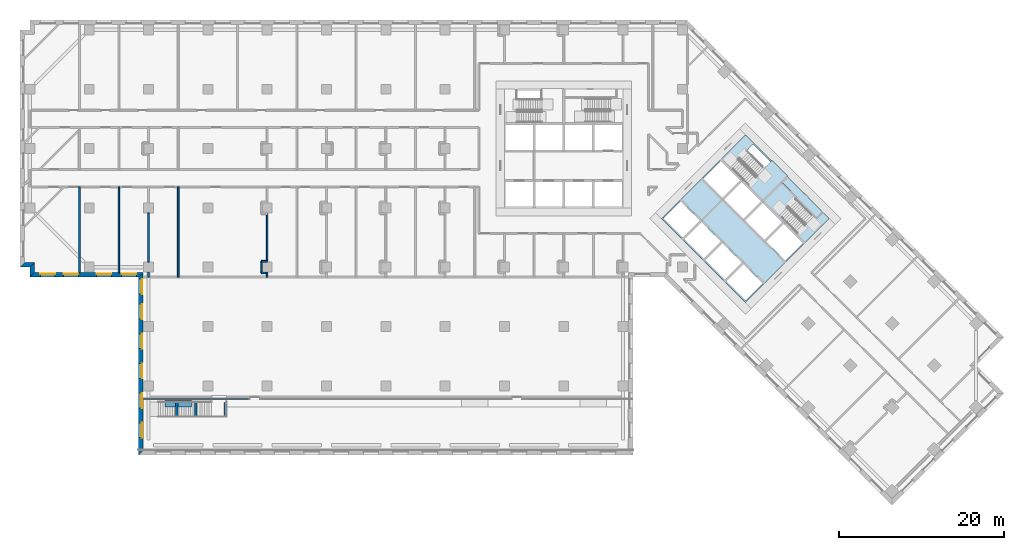
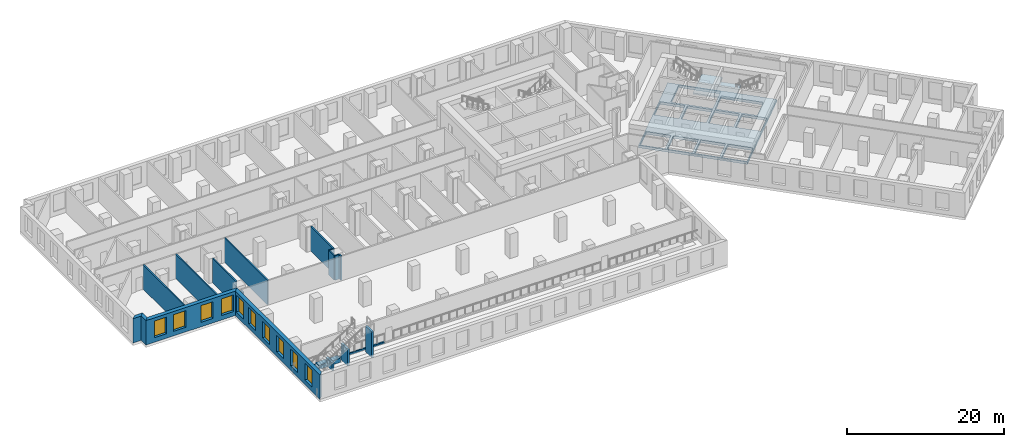
# One storey, part 2 of 14: 19 walls, 10 windows, 3 slabs, 20 openings, 2 elements without a shape of their own.
"""IFC4 building model written with IfcOpenShell, lengths in metres."""

from ifc_helpers import new_model, si_unit, direction, frame, frame_2d, origin, place, context, subcontext, project, spatial, polyline, rectangle, outline, extrude, material, layer, layer_set, type_object, element, fill, aggregate, save


model = new_model("IFC4")

# Units and contexts
model_context = context("Model", 3, precision=1e-05, world=origin(), true_north=direction((0.0, 1.0)))
body_context = subcontext(model_context, "Body", "Model", "MODEL_VIEW")
ifc_project = project(units=[si_unit("LENGTHUNIT", "METRE"), si_unit("AREAUNIT", "SQUARE_METRE"), si_unit("VOLUMEUNIT", "CUBIC_METRE"), si_unit("PLANEANGLEUNIT", "RADIAN"), si_unit("MASSUNIT", "GRAM", prefix="KILO")], contexts=[model_context])

# Site, building, storey
site_placement = place(None, origin())
site = spatial("IfcSite", under=ifc_project, at=site_placement, CompositionType="ELEMENT")
building_placement = place(site_placement, origin())
building = spatial("IfcBuilding", under=site, at=building_placement, Name="Windrow Commons", CompositionType="ELEMENT")
storey_placement = place(building_placement, frame((0.0, 0.0, 10.2)))
storey = spatial("IfcBuildingStorey", under=building, at=storey_placement, Name="L02", CompositionType="ELEMENT", Elevation=10.2)

# Slab, openings
ifc_material_1 = material(Name="Concrete C60/75", Category="concrete")
ifc_layer_1 = layer(ifc_material_1, 0.4)
ifc_layer_set_1 = layer_set([ifc_layer_1], Name="CORE FLOOR SLAB 400 C60/75")
slab_type_1 = type_object("IfcSlabType", Name="CORE FLOOR SLAB 400 C60/75", PredefinedType="FLOOR", material=ifc_layer_set_1)
slab_1_placement = place(storey_placement, frame((0.0, 0.0, -0.4)))
slab_1 = element("IfcSlab", 1, at=slab_1_placement, inside=storey, type_object=slab_type_1, Name="S-L02-core-B", PredefinedType="FLOOR", context=body_context, shape_type="SweptSolid", body=[
    extrude(outline(polyline([(76.6544, 49.0897), (86.8368, 38.9074), (97.0191, 49.0897), (86.8368, 59.2721), (76.6544, 49.0897)]), holes=[polyline([(76.8665, 49.0897), (79.2, 46.7563), (81.3213, 48.8776), (78.9879, 51.2111), (76.8665, 49.0897)]), polyline([(79.4121, 46.5442), (81.7456, 44.2107), (83.8669, 46.332), (81.5335, 48.6655), (79.4121, 46.5442)]), polyline([(81.9577, 43.9986), (84.2912, 41.6651), (86.4125, 43.7864), (84.079, 46.1199), (81.9577, 43.9986)]), polyline([(84.5033, 41.453), (86.8368, 39.1195), (88.9581, 41.2409), (86.6246, 43.5743), (84.5033, 41.453)]), polyline([(81.7456, 53.9688), (84.079, 51.6353), (86.2004, 53.7566), (83.8669, 56.0901), (81.7456, 53.9688)]), polyline([(84.2912, 51.4232), (86.6246, 49.0897), (88.7459, 51.2111), (86.4125, 53.5445), (84.2912, 51.4232)]), polyline([(86.8368, 48.8776), (89.1702, 46.5442), (91.2915, 48.6655), (88.9581, 50.9989), (86.8368, 48.8776)]), polyline([(89.3823, 46.332), (91.7158, 43.9986), (93.8371, 46.1199), (91.5037, 48.4533), (89.3823, 46.332)]), polyline([(85.0336, 55.3476), (88.9581, 51.4232), (91.7158, 54.1809), (87.7913, 58.1054), (85.0336, 55.3476)]), polyline([(89.1702, 51.2111), (93.0946, 47.2866), (95.1841, 49.3761), (91.2597, 53.3006), (89.1702, 51.2111)])]), origin(), (0.0, 0.0, 1.0), 0.4),
])
opening_1_placement = place(slab_1_placement, origin())
element("IfcOpeningElement", 2, at=opening_1_placement, cuts=slab_1, Name="Slab opening S-L02-core-B 1", PredefinedType="OPENING", context=body_context, shape_type="SweptSolid", body=[
    extrude(outline(polyline([(76.8736, 49.0897), (78.9879, 51.204), (81.3142, 48.8776), (79.2, 46.7634), (76.8736, 49.0897)])), origin(), (0.0, 0.0, 1.0), 0.4),
])
opening_2_placement = place(slab_1_placement, origin())
element("IfcOpeningElement", 3, at=opening_2_placement, cuts=slab_1, Name="Slab opening S-L02-core-B 2", PredefinedType="OPENING", context=body_context, shape_type="SweptSolid", body=[
    extrude(outline(polyline([(79.4192, 46.5442), (81.5335, 48.6584), (83.8598, 46.332), (81.7456, 44.2178), (79.4192, 46.5442)])), origin(), (0.0, 0.0, 1.0), 0.4),
])
opening_3_placement = place(slab_1_placement, origin())
element("IfcOpeningElement", 4, at=opening_3_placement, cuts=slab_1, Name="Slab opening S-L02-core-B 3", PredefinedType="OPENING", context=body_context, shape_type="SweptSolid", body=[
    extrude(outline(polyline([(81.9648, 43.9986), (84.079, 46.1128), (86.4054, 43.7864), (84.2912, 41.6722), (81.9648, 43.9986)])), origin(), (0.0, 0.0, 1.0), 0.4),
])
opening_4_placement = place(slab_1_placement, origin())
element("IfcOpeningElement", 5, at=opening_4_placement, cuts=slab_1, Name="Slab opening S-L02-core-B 4", PredefinedType="OPENING", context=body_context, shape_type="SweptSolid", body=[
    extrude(outline(polyline([(84.5104, 41.453), (86.6246, 43.5672), (88.951, 41.2409), (86.8368, 39.1266), (84.5104, 41.453)])), origin(), (0.0, 0.0, 1.0), 0.4),
])
opening_5_placement = place(slab_1_placement, origin())
element("IfcOpeningElement", 6, at=opening_5_placement, cuts=slab_1, Name="Slab opening S-L02-core-B 5", PredefinedType="OPENING", context=body_context, shape_type="SweptSolid", body=[
    extrude(outline(polyline([(81.7527, 53.9688), (83.8669, 56.083), (86.1933, 53.7566), (84.079, 51.6424), (81.7527, 53.9688)])), origin(), (0.0, 0.0, 1.0), 0.4),
])
opening_6_placement = place(slab_1_placement, origin())
element("IfcOpeningElement", 7, at=opening_6_placement, cuts=slab_1, Name="Slab opening S-L02-core-B 6", PredefinedType="OPENING", context=body_context, shape_type="SweptSolid", body=[
    extrude(outline(polyline([(84.2983, 51.4232), (86.4125, 53.5374), (88.7388, 51.2111), (86.6246, 49.0968), (84.2983, 51.4232)])), origin(), (0.0, 0.0, 1.0), 0.4),
])
opening_7_placement = place(slab_1_placement, origin())
element("IfcOpeningElement", 8, at=opening_7_placement, cuts=slab_1, Name="Slab opening S-L02-core-B 7", PredefinedType="OPENING", context=body_context, shape_type="SweptSolid", body=[
    extrude(outline(polyline([(86.8439, 48.8776), (88.9581, 50.9918), (91.2844, 48.6655), (89.1702, 46.5513), (86.8439, 48.8776)])), origin(), (0.0, 0.0, 1.0), 0.4),
])
opening_8_placement = place(slab_1_placement, origin())
element("IfcOpeningElement", 9, at=opening_8_placement, cuts=slab_1, Name="Slab opening S-L02-core-B 8", PredefinedType="OPENING", context=body_context, shape_type="SweptSolid", body=[
    extrude(outline(polyline([(89.3894, 46.332), (91.5037, 48.4462), (93.83, 46.1199), (91.7158, 44.0057), (89.3894, 46.332)])), origin(), (0.0, 0.0, 1.0), 0.4),
])
opening_9_placement = place(slab_1_placement, origin())
element("IfcOpeningElement", 10, at=opening_9_placement, cuts=slab_1, Name="Slab opening S-L02-core-B 9", PredefinedType="OPENING", context=body_context, shape_type="SweptSolid", body=[
    extrude(outline(polyline([(85.0407, 55.3476), (87.7913, 58.0983), (91.7087, 54.1809), (88.9581, 51.4303), (85.0407, 55.3476)])), origin(), (0.0, 0.0, 1.0), 0.4),
])
opening_10_placement = place(slab_1_placement, origin())
element("IfcOpeningElement", 11, at=opening_10_placement, cuts=slab_1, Name="Slab opening S-L02-core-B 10", PredefinedType="OPENING", context=body_context, shape_type="SweptSolid", body=[
    extrude(outline(polyline([(89.1773, 51.2111), (91.2597, 53.2935), (95.177, 49.3761), (93.0946, 47.2937), (89.1773, 51.2111)])), origin(), (0.0, 0.0, 1.0), 0.4),
])

# Stair, slab
ifc_material_2 = material(Name="Concrete C40/50", Category="concrete")
stair_type = type_object("IfcStairType", Name="Core stair", PredefinedType="HALF_TURN_STAIR", material=ifc_material_2)
placement_1 = place(storey_placement, origin())
stair_1 = element("IfcStair", 12, at=placement_1, inside=storey, type_object=stair_type, Name="L02 Exit stair B1 core B", PredefinedType="HALF_TURN_STAIR")
ifc_material_3 = material(Name="Concrete C40/50", Category="concrete")
ifc_layer_2 = layer(ifc_material_3, 0.2)
ifc_layer_set_2 = layer_set([ifc_layer_2], Name="Core stair landing")
slab_type_2 = type_object("IfcSlabType", Name="Core stair landing", PredefinedType="LANDING", material=ifc_layer_set_2)
placement_2 = place(storey_placement, frame((0.0, 0.0, 1.9)))
slab_2 = element("IfcSlab", 13, at=placement_2, type_object=slab_type_2, Name="ST-B1 landing 1", PredefinedType="LANDING", context=body_context, shape_type="SweptSolid", body=[
    extrude(outline(polyline([(86.9499, 53.0778), (88.8874, 51.1403), (91.9986, 54.2516), (90.0612, 56.1891), (86.9499, 53.0778)])), origin(), (0.0, 0.0, 1.0), 0.2),
])
aggregate(stair_1, [slab_2])

stair_2 = element("IfcStair", 14, at=placement_1, inside=storey, type_object=stair_type, Name="L02 Exit stair B2 core B", PredefinedType="HALF_TURN_STAIR")
slab_3 = element("IfcSlab", 15, at=placement_2, type_object=slab_type_2, Name="ST-B2 landing 1", PredefinedType="LANDING", context=body_context, shape_type="SweptSolid", body=[
    extrude(outline(polyline([(88.8874, 51.1403), (90.8248, 49.2029), (93.1971, 51.5752), (91.2597, 53.5127), (88.8874, 51.1403)])), origin(), (0.0, 0.0, 1.0), 0.2),
])
aggregate(stair_2, [slab_3])

# Walls
ifc_material_4 = material(Name="Brick masonry, red clay brick", Category="masonry")
ifc_layer_3 = layer(ifc_material_4, 0.55)
ifc_layer_set_3 = layer_set([ifc_layer_3], Name="Brick facade wall 550")
wall_type_1 = type_object("IfcWallType", Name="Brick facade wall 550", PredefinedType="SOLIDWALL", material=ifc_layer_set_3)
wall_1_placement = place(storey_placement, frame((-0.925, 43.475, 0.0), z_axis=(0.0, 0.0, 1.0), x_axis=(1.0, 0.0, 0.0)))
element("IfcWall", 16, at=wall_1_placement, inside=storey, type_object=wall_type_1, Name="Brick facade wall L02 9", PredefinedType="SOLIDWALL", context=body_context, shape_type="SweptSolid", body=[
    extrude(outline(polyline([(-0.275, -0.275), (0.925, -0.275), (1.475, 0.275), (0.275, 0.275), (-0.275, -0.275)])), origin(), (0.0, 0.0, 1.0), 3.8),
])
wall_2_placement = place(storey_placement, frame((0.275, 43.475, 0.0), z_axis=(0.0, 0.0, 1.0), x_axis=(0.0, -1.0, 0.0)))
element("IfcWall", 17, at=wall_2_placement, inside=storey, type_object=wall_type_1, Name="Brick facade wall L02 10", PredefinedType="SOLIDWALL", context=body_context, shape_type="SweptSolid", body=[
    extrude(outline(polyline([(0.275, -0.275), (1.475, -0.275), (0.925, 0.275), (-0.275, 0.275), (0.275, -0.275)])), origin(), (0.0, 0.0, 1.0), 3.8),
])

# Wall, openings, windows
wall_3_placement = place(storey_placement, frame((0.275, 42.275, 0.0), z_axis=(0.0, 0.0, 1.0), x_axis=(1.0, 0.0, 0.0)))
wall_3 = element("IfcWall", 18, at=wall_3_placement, inside=storey, type_object=wall_type_1, Name="Brick facade wall L02 11", PredefinedType="SOLIDWALL", context=body_context, shape_type="SweptSolid", body=[
    extrude(outline(polyline([(-0.275, -0.275), (12.925, -0.275), (13.475, 0.275), (0.275, 0.275), (-0.275, -0.275)])), origin(), (0.0, 0.0, 1.0), 3.8),
])
opening_11_placement = place(wall_3_placement, frame((1.0, 0.0, 0.7)))
opening_11 = element("IfcOpeningElement", 19, at=opening_11_placement, cuts=wall_3, Name="Opening W2", PredefinedType="OPENING", context=body_context, shape_type="SweptSolid", body=[
    extrude(rectangle(XDim=1.8, YDim=2.6, at=frame_2d((0.9, 1.3))), frame((0.0, 0.285, 0.0), z_axis=(0.0, -1.0, 0.0), x_axis=(1.0, 0.0, 0.0)), (0.0, 0.0, 1.0), 0.57),
])
opening_12_placement = place(wall_3_placement, frame((3.825, 0.0, 0.7)))
opening_12 = element("IfcOpeningElement", 20, at=opening_12_placement, cuts=wall_3, Name="Opening W2", PredefinedType="OPENING", context=body_context, shape_type="SweptSolid", body=[
    extrude(rectangle(XDim=1.8, YDim=2.6, at=frame_2d((0.9, 1.3))), frame((0.0, 0.285, 0.0), z_axis=(0.0, -1.0, 0.0), x_axis=(1.0, 0.0, 0.0)), (0.0, 0.0, 1.0), 0.57),
])
opening_13_placement = place(wall_3_placement, frame((7.825, 0.0, 0.7)))
opening_13 = element("IfcOpeningElement", 21, at=opening_13_placement, cuts=wall_3, Name="Opening W2", PredefinedType="OPENING", context=body_context, shape_type="SweptSolid", body=[
    extrude(rectangle(XDim=1.8, YDim=2.6, at=frame_2d((0.9, 1.3))), frame((0.0, 0.285, 0.0), z_axis=(0.0, -1.0, 0.0), x_axis=(1.0, 0.0, 0.0)), (0.0, 0.0, 1.0), 0.57),
])
opening_14_placement = place(wall_3_placement, frame((10.8625, 0.0, 0.7)))
opening_14 = element("IfcOpeningElement", 22, at=opening_14_placement, cuts=wall_3, Name="Opening W2", PredefinedType="OPENING", context=body_context, shape_type="SweptSolid", body=[
    extrude(rectangle(XDim=1.8, YDim=2.6, at=frame_2d((0.9, 1.3))), frame((0.0, 0.285, 0.0), z_axis=(0.0, -1.0, 0.0), x_axis=(1.0, 0.0, 0.0)), (0.0, 0.0, 1.0), 0.57),
])
ifc_material_5 = material(Name="Clear float glass in anodised aluminium frame", Category="aluminium")
window_type = type_object("IfcWindowType", Name="Window W2 podium 1800x2600", PartitioningType="SINGLE_PANEL", PredefinedType="WINDOW", material=ifc_material_5)
window_1_placement = place(opening_11_placement, origin())
window_1 = element("IfcWindow", 23, at=window_1_placement, inside=storey, type_object=window_type, Name="Window L02 11.1", OverallHeight=2.6, OverallWidth=1.8, PartitioningType="SINGLE_PANEL", PredefinedType="WINDOW", context=body_context, shape_type="SweptSolid", body=[
    extrude(rectangle(XDim=1.8, YDim=2.6, at=frame_2d((0.9, 1.3))), frame((0.0, 0.155, 0.0), z_axis=(0.0, -1.0, 0.0), x_axis=(1.0, 0.0, 0.0)), (0.0, 0.0, 1.0), 0.06),
])
fill(opening_11, window_1)
window_2_placement = place(opening_12_placement, origin())
window_2 = element("IfcWindow", 24, at=window_2_placement, inside=storey, type_object=window_type, Name="Window L02 11.2", OverallHeight=2.6, OverallWidth=1.8, PartitioningType="SINGLE_PANEL", PredefinedType="WINDOW", context=body_context, shape_type="SweptSolid", body=[
    extrude(rectangle(XDim=1.8, YDim=2.6, at=frame_2d((0.9, 1.3))), frame((0.0, 0.155, 0.0), z_axis=(0.0, -1.0, 0.0), x_axis=(1.0, 0.0, 0.0)), (0.0, 0.0, 1.0), 0.06),
])
fill(opening_12, window_2)
window_3_placement = place(opening_13_placement, origin())
window_3 = element("IfcWindow", 25, at=window_3_placement, inside=storey, type_object=window_type, Name="Window L02 11.3", OverallHeight=2.6, OverallWidth=1.8, PartitioningType="SINGLE_PANEL", PredefinedType="WINDOW", context=body_context, shape_type="SweptSolid", body=[
    extrude(rectangle(XDim=1.8, YDim=2.6, at=frame_2d((0.9, 1.3))), frame((0.0, 0.155, 0.0), z_axis=(0.0, -1.0, 0.0), x_axis=(1.0, 0.0, 0.0)), (0.0, 0.0, 1.0), 0.06),
])
fill(opening_13, window_3)
window_4_placement = place(opening_14_placement, origin())
window_4 = element("IfcWindow", 26, at=window_4_placement, inside=storey, type_object=window_type, Name="Window L02 11.4", OverallHeight=2.6, OverallWidth=1.8, PartitioningType="SINGLE_PANEL", PredefinedType="WINDOW", context=body_context, shape_type="SweptSolid", body=[
    extrude(rectangle(XDim=1.8, YDim=2.6, at=frame_2d((0.9, 1.3))), frame((0.0, 0.155, 0.0), z_axis=(0.0, -1.0, 0.0), x_axis=(1.0, 0.0, 0.0)), (0.0, 0.0, 1.0), 0.06),
])
fill(opening_14, window_4)

wall_4_placement = place(storey_placement, frame((13.475, 42.275, 0.0), z_axis=(0.0, 0.0, 1.0), x_axis=(0.0, -1.0, 0.0)))
wall_4 = element("IfcWall", 27, at=wall_4_placement, inside=storey, type_object=wall_type_1, Name="Brick facade wall L02 12", PredefinedType="SOLIDWALL", context=body_context, shape_type="SweptSolid", body=[
    extrude(outline(polyline([(0.275, -0.275), (21.875, -0.275), (21.325, 0.275), (-0.275, 0.275), (0.275, -0.275)])), origin(), (0.0, 0.0, 1.0), 3.8),
])
opening_15_placement = place(wall_4_placement, frame((0.5375, 0.0, 0.7)))
opening_15 = element("IfcOpeningElement", 28, at=opening_15_placement, cuts=wall_4, Name="Opening W2", PredefinedType="OPENING", context=body_context, shape_type="SweptSolid", body=[
    extrude(rectangle(XDim=1.8, YDim=2.6, at=frame_2d((0.9, 1.3))), frame((0.0, 0.285, 0.0), z_axis=(0.0, -1.0, 0.0), x_axis=(1.0, 0.0, 0.0)), (0.0, 0.0, 1.0), 0.57),
])
opening_16_placement = place(wall_4_placement, frame((3.575, 0.0, 0.7)))
opening_16 = element("IfcOpeningElement", 29, at=opening_16_placement, cuts=wall_4, Name="Opening W2", PredefinedType="OPENING", context=body_context, shape_type="SweptSolid", body=[
    extrude(rectangle(XDim=1.8, YDim=2.6, at=frame_2d((0.9, 1.3))), frame((0.0, 0.285, 0.0), z_axis=(0.0, -1.0, 0.0), x_axis=(1.0, 0.0, 0.0)), (0.0, 0.0, 1.0), 0.57),
])
opening_17_placement = place(wall_4_placement, frame((7.175, 0.0, 0.7)))
opening_17 = element("IfcOpeningElement", 30, at=opening_17_placement, cuts=wall_4, Name="Opening W2", PredefinedType="OPENING", context=body_context, shape_type="SweptSolid", body=[
    extrude(rectangle(XDim=1.8, YDim=2.6, at=frame_2d((0.9, 1.3))), frame((0.0, 0.285, 0.0), z_axis=(0.0, -1.0, 0.0), x_axis=(1.0, 0.0, 0.0)), (0.0, 0.0, 1.0), 0.57),
])
opening_18_placement = place(wall_4_placement, frame((10.775, 0.0, 0.7)))
opening_18 = element("IfcOpeningElement", 31, at=opening_18_placement, cuts=wall_4, Name="Opening W2", PredefinedType="OPENING", context=body_context, shape_type="SweptSolid", body=[
    extrude(rectangle(XDim=1.8, YDim=2.6, at=frame_2d((0.9, 1.3))), frame((0.0, 0.285, 0.0), z_axis=(0.0, -1.0, 0.0), x_axis=(1.0, 0.0, 0.0)), (0.0, 0.0, 1.0), 0.57),
])
opening_19_placement = place(wall_4_placement, frame((14.375, 0.0, 0.7)))
opening_19 = element("IfcOpeningElement", 32, at=opening_19_placement, cuts=wall_4, Name="Opening W2", PredefinedType="OPENING", context=body_context, shape_type="SweptSolid", body=[
    extrude(rectangle(XDim=1.8, YDim=2.6, at=frame_2d((0.9, 1.3))), frame((0.0, 0.285, 0.0), z_axis=(0.0, -1.0, 0.0), x_axis=(1.0, 0.0, 0.0)), (0.0, 0.0, 1.0), 0.57),
])
opening_20_placement = place(wall_4_placement, frame((17.975, 0.0, 0.7)))
opening_20 = element("IfcOpeningElement", 33, at=opening_20_placement, cuts=wall_4, Name="Opening W2", PredefinedType="OPENING", context=body_context, shape_type="SweptSolid", body=[
    extrude(rectangle(XDim=1.8, YDim=2.6, at=frame_2d((0.9, 1.3))), frame((0.0, 0.285, 0.0), z_axis=(0.0, -1.0, 0.0), x_axis=(1.0, 0.0, 0.0)), (0.0, 0.0, 1.0), 0.57),
])
window_5_placement = place(opening_15_placement, origin())
window_5 = element("IfcWindow", 34, at=window_5_placement, inside=storey, type_object=window_type, Name="Window L02 12.1", OverallHeight=2.6, OverallWidth=1.8, PartitioningType="SINGLE_PANEL", PredefinedType="WINDOW", context=body_context, shape_type="SweptSolid", body=[
    extrude(rectangle(XDim=1.8, YDim=2.6, at=frame_2d((0.9, 1.3))), frame((0.0, 0.155, 0.0), z_axis=(0.0, -1.0, 0.0), x_axis=(1.0, 0.0, 0.0)), (0.0, 0.0, 1.0), 0.06),
])
fill(opening_15, window_5)
window_6_placement = place(opening_16_placement, origin())
window_6 = element("IfcWindow", 35, at=window_6_placement, inside=storey, type_object=window_type, Name="Window L02 12.2", OverallHeight=2.6, OverallWidth=1.8, PartitioningType="SINGLE_PANEL", PredefinedType="WINDOW", context=body_context, shape_type="SweptSolid", body=[
    extrude(rectangle(XDim=1.8, YDim=2.6, at=frame_2d((0.9, 1.3))), frame((0.0, 0.155, 0.0), z_axis=(0.0, -1.0, 0.0), x_axis=(1.0, 0.0, 0.0)), (0.0, 0.0, 1.0), 0.06),
])
fill(opening_16, window_6)
window_7_placement = place(opening_17_placement, origin())
window_7 = element("IfcWindow", 36, at=window_7_placement, inside=storey, type_object=window_type, Name="Window L02 12.3", OverallHeight=2.6, OverallWidth=1.8, PartitioningType="SINGLE_PANEL", PredefinedType="WINDOW", context=body_context, shape_type="SweptSolid", body=[
    extrude(rectangle(XDim=1.8, YDim=2.6, at=frame_2d((0.9, 1.3))), frame((0.0, 0.155, 0.0), z_axis=(0.0, -1.0, 0.0), x_axis=(1.0, 0.0, 0.0)), (0.0, 0.0, 1.0), 0.06),
])
fill(opening_17, window_7)
window_8_placement = place(opening_18_placement, origin())
window_8 = element("IfcWindow", 37, at=window_8_placement, inside=storey, type_object=window_type, Name="Window L02 12.4", OverallHeight=2.6, OverallWidth=1.8, PartitioningType="SINGLE_PANEL", PredefinedType="WINDOW", context=body_context, shape_type="SweptSolid", body=[
    extrude(rectangle(XDim=1.8, YDim=2.6, at=frame_2d((0.9, 1.3))), frame((0.0, 0.155, 0.0), z_axis=(0.0, -1.0, 0.0), x_axis=(1.0, 0.0, 0.0)), (0.0, 0.0, 1.0), 0.06),
])
fill(opening_18, window_8)
window_9_placement = place(opening_19_placement, origin())
window_9 = element("IfcWindow", 38, at=window_9_placement, inside=storey, type_object=window_type, Name="Window L02 12.5", OverallHeight=2.6, OverallWidth=1.8, PartitioningType="SINGLE_PANEL", PredefinedType="WINDOW", context=body_context, shape_type="SweptSolid", body=[
    extrude(rectangle(XDim=1.8, YDim=2.6, at=frame_2d((0.9, 1.3))), frame((0.0, 0.155, 0.0), z_axis=(0.0, -1.0, 0.0), x_axis=(1.0, 0.0, 0.0)), (0.0, 0.0, 1.0), 0.06),
])
fill(opening_19, window_9)
window_10_placement = place(opening_20_placement, origin())
window_10 = element("IfcWindow", 39, at=window_10_placement, inside=storey, type_object=window_type, Name="Window L02 12.6", OverallHeight=2.6, OverallWidth=1.8, PartitioningType="SINGLE_PANEL", PredefinedType="WINDOW", context=body_context, shape_type="SweptSolid", body=[
    extrude(rectangle(XDim=1.8, YDim=2.6, at=frame_2d((0.9, 1.3))), frame((0.0, 0.155, 0.0), z_axis=(0.0, -1.0, 0.0), x_axis=(1.0, 0.0, 0.0)), (0.0, 0.0, 1.0), 0.06),
])
fill(opening_20, window_10)

# Walls
ifc_material_6 = material(Name="Blockwork partition", Category="masonry")
ifc_layer_4 = layer(ifc_material_6, 0.2)
ifc_layer_set_4 = layer_set([ifc_layer_4], Name="IW-PARTY-200")
wall_type_2 = type_object("IfcWallType", Name="IW-PARTY-200", PredefinedType="PARTITIONING", material=ifc_layer_set_4)
wall_5_placement = place(storey_placement, frame((18.0, 42.0, 0.0), z_axis=(0.0, 0.0, 1.0), x_axis=(0.0, 1.0, 0.0)))
element("IfcWall", 40, at=wall_5_placement, inside=storey, type_object=wall_type_2, Name="W-L02-W009", PredefinedType="PARTITIONING", context=body_context, shape_type="SweptSolid", body=[
    extrude(rectangle(XDim=10.95, YDim=0.2, at=frame_2d((5.475, 0.0))), origin(), (0.0, 0.0, 1.0), 3.8),
])
for number, where, z_axis, x_axis, name in (
    (41, (6.03, 42.55, 0.0), (0.0, 0.0, 1.0), (0.0, 1.0, 0.0), "W-L02-W017"),
    (42, (10.8, 42.55, 0.0), (0.0, 0.0, 1.0), (0.0, 1.0, 0.0), "W-L02-W018"),
):
    element("IfcWall", number, at=place(storey_placement, frame(where, z_axis=z_axis, x_axis=x_axis)), inside=storey, type_object=wall_type_2, Name=name, PredefinedType="PARTITIONING", context=body_context, shape_type="SweptSolid", body=[
        extrude(rectangle(XDim=10.4, YDim=0.2, at=frame_2d((5.2, 0.0))), origin(), (0.0, 0.0, 1.0), 3.8),
    ])
wall_6_placement = place(storey_placement, frame((14.4, 43.8, 0.0), z_axis=(0.0, 0.0, 1.0), x_axis=(0.0, 1.0, 0.0)))
element("IfcWall", 43, at=wall_6_placement, inside=storey, type_object=wall_type_2, Name="W-L02-W039", PredefinedType="PARTITIONING", context=body_context, shape_type="SweptSolid", body=[
    extrude(rectangle(XDim=6.0, YDim=0.2, at=frame_2d((3.0, 0.0))), origin(), (0.0, 0.0, 1.0), 3.8),
])
wall_7_placement = place(storey_placement, frame((28.8, 43.906, 0.0), z_axis=(0.0, 0.0, 1.0), x_axis=(0.0, 1.0, 0.0)))
element("IfcWall", 44, at=wall_7_placement, inside=storey, type_object=wall_type_2, Name="W-L02-W041", PredefinedType="PARTITIONING", context=body_context, shape_type="SweptSolid", body=[
    extrude(rectangle(XDim=5.788, YDim=0.2, at=frame_2d((2.894, 0.0))), origin(), (0.0, 0.0, 1.0), 3.8),
])
wall_8_placement = place(storey_placement, frame((28.1, 42.496, 0.0), z_axis=(0.0, 0.0, 1.0), x_axis=(0.0, 1.0, 0.0)))
element("IfcWall", 45, at=wall_8_placement, inside=storey, type_object=wall_type_2, Name="W-L02-W116", PredefinedType="PARTITIONING", context=body_context, shape_type="SweptSolid", body=[
    extrude(rectangle(XDim=1.41, YDim=0.2, at=frame_2d((0.705, 0.0))), origin(), (0.0, 0.0, 1.0), 3.8),
])
for number, where, z_axis, x_axis, name in (
    (46, (28.1, 43.91, 0.0), (0.0, 0.0, 1.0), (1.0, 0.0, 0.0), "W-L02-W164"),
    (47, (28.1, 42.5, 0.0), (0.0, 0.0, 1.0), (1.0, 0.0, 0.0), "W-L02-W165"),
):
    element("IfcWall", number, at=place(storey_placement, frame(where, z_axis=z_axis, x_axis=x_axis)), inside=storey, type_object=wall_type_2, Name=name, PredefinedType="PARTITIONING", context=body_context, shape_type="SweptSolid", body=[
        extrude(rectangle(XDim=0.7, YDim=0.2, at=frame_2d((0.35, 0.0))), origin(), (0.0, 0.0, 1.0), 3.8),
    ])
wall_9_placement = place(storey_placement, frame((14.4, 42.0, 0.0), z_axis=(0.0, 0.0, 1.0), x_axis=(0.0, 1.0, 0.0)))
element("IfcWall", 48, at=wall_9_placement, inside=storey, type_object=wall_type_2, Name="W-L02-W173", PredefinedType="PARTITIONING", context=body_context, shape_type="SweptSolid", body=[
    extrude(rectangle(XDim=0.6, YDim=0.2, at=frame_2d((0.3, 0.0))), origin(), (0.0, 0.0, 1.0), 3.2),
])
wall_10_placement = place(storey_placement, frame((28.8, 42.0, 0.0), z_axis=(0.0, 0.0, 1.0), x_axis=(0.0, 1.0, 0.0)))
element("IfcWall", 49, at=wall_10_placement, inside=storey, type_object=wall_type_2, Name="W-L02-W180", PredefinedType="PARTITIONING", context=body_context, shape_type="SweptSolid", body=[
    extrude(rectangle(XDim=0.496, YDim=0.2, at=frame_2d((0.248, 0.0))), origin(), (0.0, 0.0, 1.0), 3.8),
])
ifc_material_7 = material(Name="Concrete C30/37 planter wall", Category="concrete")
ifc_layer_5 = layer(ifc_material_7, 0.8)
ifc_layer_set_5 = layer_set([ifc_layer_5], Name="Planter 800x600")
wall_type_3 = type_object("IfcWallType", Name="Planter 800x600", PredefinedType="SOLIDWALL", material=ifc_layer_set_5)
wall_11_placement = place(storey_placement, frame((19.6068, 26.65, 0.0), z_axis=(0.0, 0.0, 1.0), x_axis=(-1.0, 0.0, 0.0)))
element("IfcWall", 50, at=wall_11_placement, inside=storey, type_object=wall_type_3, Name="PLANTER TR-L02-1.1", PredefinedType="SOLIDWALL", context=body_context, shape_type="SweptSolid", body=[
    extrude(outline(polyline([(0.0, -0.4), (3.2136, -0.4), (3.2136, 0.4), (0.0, 0.4), (0.0, -0.4)])), origin(), (0.0, 0.0, 1.0), 0.65),
])
ifc_material_8 = material(Name="Concrete C40/50", Category="concrete")
ifc_layer_6 = layer(ifc_material_8, 0.3)
ifc_layer_set_6 = layer_set([ifc_layer_6], Name="Stair support wall 300")
wall_type_4 = type_object("IfcWallType", Name="Stair support wall 300", PredefinedType="SOLIDWALL", material=ifc_layer_set_6)
wall_12_placement = place(storey_placement, frame((23.69, 26.75, 0.0), z_axis=(0.0, 0.0, 1.0), x_axis=(0.0, -1.0, 0.0)))
element("IfcWall", 51, at=wall_12_placement, inside=storey, type_object=wall_type_4, Name="Stair support wall L02.1", PredefinedType="SOLIDWALL", context=body_context, shape_type="SweptSolid", body=[
    extrude(rectangle(XDim=1.6, YDim=0.3, at=frame_2d((0.8, 0.0))), origin(), (0.0, 0.0, 1.0), 4.0),
])
wall_13_placement = place(storey_placement, frame((20.108, 26.75, 0.0), z_axis=(0.0, 0.0, 1.0), x_axis=(0.0, -1.0, 0.0)))
element("IfcWall", 52, at=wall_13_placement, inside=storey, type_object=wall_type_4, Name="Stair support wall L02.2", PredefinedType="SOLIDWALL", context=body_context, shape_type="SweptSolid", body=[
    extrude(rectangle(XDim=1.6, YDim=0.3, at=frame_2d((0.8, 0.0))), origin(), (0.0, 0.0, 1.0), 2.6175),
])
wall_14_placement = place(storey_placement, frame((17.854, 26.75, 0.0), z_axis=(0.0, 0.0, 1.0), x_axis=(0.0, -1.0, 0.0)))
element("IfcWall", 53, at=wall_14_placement, inside=storey, type_object=wall_type_4, Name="Stair support wall L02.3", PredefinedType="SOLIDWALL", context=body_context, shape_type="SweptSolid", body=[
    extrude(rectangle(XDim=1.6, YDim=0.3, at=frame_2d((0.8, 0.0))), origin(), (0.0, 0.0, 1.0), 1.2087),
])
ifc_material_9 = material(Name="Brick masonry, red clay brick", Category="masonry")
ifc_layer_7 = layer(ifc_material_9, 0.2)
ifc_layer_set_7 = layer_set([ifc_layer_7], Name="Terrace edge parapet 200")
wall_type_5 = type_object("IfcWallType", Name="Terrace edge parapet 200", PredefinedType="PARAPET", material=ifc_layer_set_7)
wall_15_placement = place(storey_placement, frame((26.53, 27.2, 0.0), z_axis=(0.0, 0.0, 1.0), x_axis=(-1.0, 0.0, 0.0)))
element("IfcWall", 54, at=wall_15_placement, inside=storey, type_object=wall_type_5, Name="Terrace parapet TR-L02-1.1.1", PredefinedType="PARAPET", context=body_context, shape_type="SweptSolid", body=[
    extrude(outline(polyline([(0.0, -0.1), (12.78, -0.1), (12.78, 0.1), (0.0, 0.1), (0.0, -0.1)])), origin(), (0.0, 0.0, 1.0), 0.25),
])

save(model, "model.ifc")
